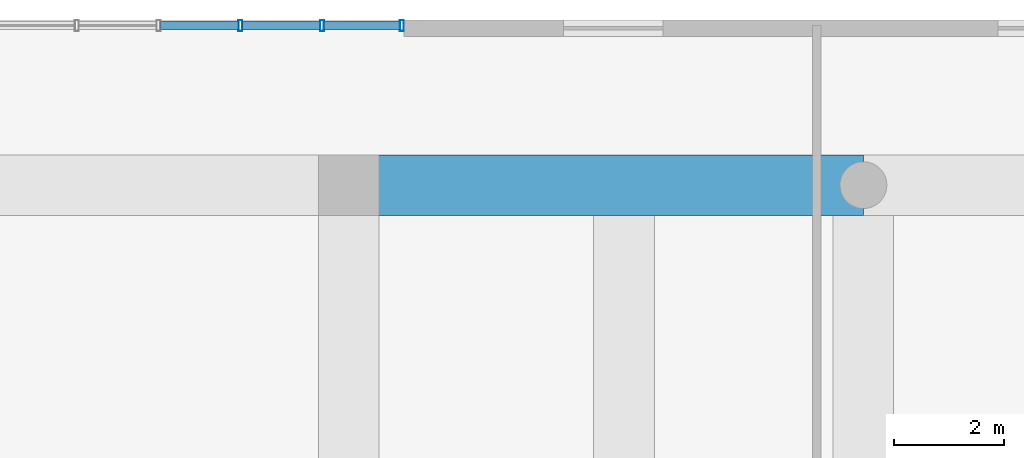
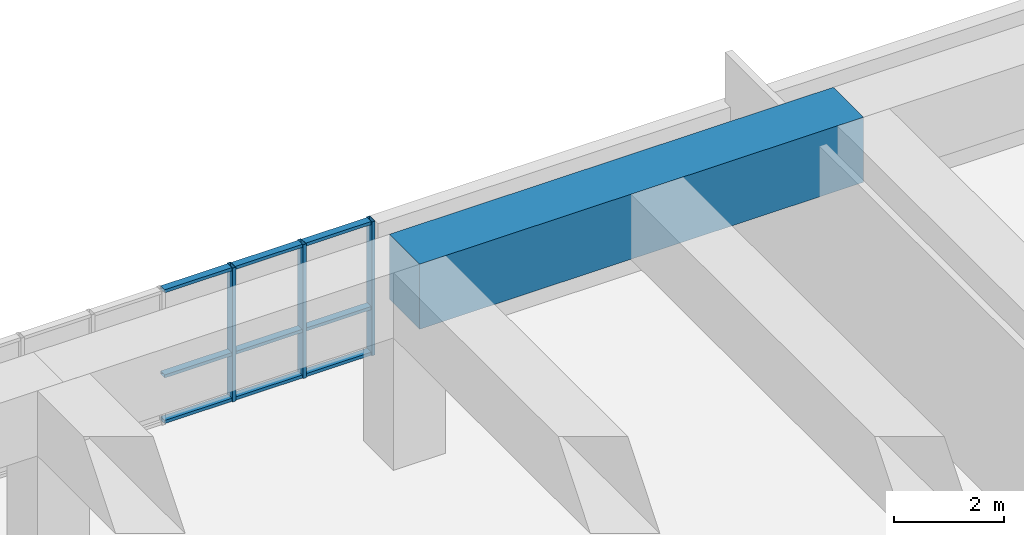
# One storey, part 15 of 28: 12 members, 1 beam, 1 element without a shape of its own.
"""IFC4 building model written with IfcOpenShell, lengths in metres."""

from ifc_helpers import new_model, si_unit, direction, frame, origin, origin_2d, place, context, subcontext, project, spatial, rectangle, hollow_rectangle, extrude, source, transform, mapped, material, layer, layer_set, material_profile, profile_set, type_object, element, aggregate, save


model = new_model("IFC4")

# Units and contexts
model_context = context("Model", 3, precision=1e-05, world=origin(), true_north=direction((0.0, 1.0)))
body_context = subcontext(model_context, "Body", "Model", "MODEL_VIEW")
ifc_project = project(units=[si_unit("LENGTHUNIT", "METRE"), si_unit("AREAUNIT", "SQUARE_METRE"), si_unit("VOLUMEUNIT", "CUBIC_METRE"), si_unit("PLANEANGLEUNIT", "RADIAN"), si_unit("MASSUNIT", "GRAM", prefix="KILO")], contexts=[model_context])

# Site, building, storey
site_placement = place(None, origin())
site = spatial("IfcSite", under=ifc_project, at=site_placement, CompositionType="ELEMENT")
building_placement = place(site_placement, origin())
building = spatial("IfcBuilding", under=site, at=building_placement, Name="Saelheon Loggia Tower", CompositionType="ELEMENT")
storey_placement = place(building_placement, frame((0.0, 0.0, 15.0)))
storey = spatial("IfcBuildingStorey", under=building, at=storey_placement, Name="L04", CompositionType="ELEMENT", Elevation=15.0)

# Beam
ifc_material_1 = material(Name="Concrete C50/60", Category="concrete")
ifc_material_profile_1 = material_profile(ifc_material_1, rectangle(XDim=1.10009765625, YDim=1.449951171875, at=origin_2d()), Name="RC-1100x1450")
ifc_profile_set_1 = profile_set([ifc_material_profile_1], Name="Concrete C50/60")
beam_type = type_object("IfcBeamType", Name="Beam_Transfer_RC1100x1450", PredefinedType="BEAM", material=ifc_profile_set_1)
shared_shape_1 = source(origin(), body_context, "Body", "SweptSolid", [
    extrude(rectangle(XDim=1.10009765625, YDim=1.449951171875, at=origin_2d()), origin(), (0.0, 0.0, 1.0), 9.35009765625),
])
beam_placement = place(storey_placement, frame((59.0, 51.0, 3.675048828125), z_axis=(1.0, 0.0, 0.0), x_axis=(0.0, 1.0, 0.0)))
element("IfcBeam", 1, at=beam_placement, inside=storey, type_object=beam_type, Name="BM-L04-EW-51-9", PredefinedType="BEAM", context=body_context, shape_type="MappedRepresentation", body=[
    mapped(shared_shape_1, transform((0.0, 0.0, 0.0), scale=1.0)),
])

# Curtain wall, members
ifc_material_2 = material(Name="Aluminium 6063-T6 and Low-E IGU", Category="aluminium")
ifc_layer = layer(ifc_material_2, 0.179931640625)
ifc_layer_set = layer_set([ifc_layer], Name="Aluminium 6063-T6 and Low-E IGU")
curtain_wall_type = type_object("IfcCurtainWallType", Name="CW_PodiumClinic", PredefinedType="NOTDEFINED", material=ifc_layer_set)
curtain_wall_placement = place(storey_placement, origin())
curtain_wall = element("IfcCurtainWall", 2, at=curtain_wall_placement, inside=storey, type_object=curtain_wall_type, Name="L04 North Clinic Curtain Wall 3", PredefinedType="NOTDEFINED")
ifc_material_3 = material(Name="Anodised Aluminium 6063-T6", Category="aluminium")
ifc_material_profile_2 = material_profile(ifc_material_3, hollow_rectangle(XDim=0.070068359375, YDim=0.14990234375, WallThickness=0.0048828125, at=origin_2d()), Name="RHS-150x70x5")
ifc_profile_set_2 = profile_set([ifc_material_profile_2], Name="Anodised Aluminium 6063-T6")
member_type_1 = type_object("IfcMemberType", Name="CW_PodiumClinic_Transom", PredefinedType="USERDEFINED", material=ifc_profile_set_2)
shared_shape_2 = source(origin(), body_context, "Body", "SweptSolid", [
    extrude(hollow_rectangle(XDim=0.070068359375, YDim=0.14990234375, WallThickness=0.0048828125, at=origin_2d()), origin(), (0.0, 0.0, 1.0), 1.3798828125),
])
member_1_placement = place(storey_placement, frame((58.550048828125, 53.89990234375, 0.034912109375), z_axis=(1.0, 0.0, 0.0), x_axis=(0.0, 0.0, 1.0)))
member_1 = element("IfcMember", 3, at=member_1_placement, type_object=member_type_1, Name="CW1 transom 10.1", ObjectType="TRANSOM", PredefinedType="USERDEFINED", context=body_context, shape_type="MappedRepresentation", body=[
    mapped(shared_shape_2, transform((0.0, 0.0, 0.0), scale=1.0)),
])
member_2_placement = place(storey_placement, frame((58.550048828125, 53.89990234375, 1.050048828125), z_axis=(1.0, 0.0, 0.0), x_axis=(0.0, 0.0, 1.0)))
member_2 = element("IfcMember", 4, at=member_2_placement, type_object=member_type_1, Name="CW1 transom 10.2", ObjectType="TRANSOM", PredefinedType="USERDEFINED", context=body_context, shape_type="MappedRepresentation", body=[
    mapped(shared_shape_2, transform((0.0, 0.0, 0.0), scale=1.0)),
])
member_3_placement = place(storey_placement, frame((58.550048828125, 53.89990234375, 2.945068359375), z_axis=(1.0, 0.0, 0.0), x_axis=(0.0, 0.0, 1.0)))
member_3 = element("IfcMember", 5, at=member_3_placement, type_object=member_type_1, Name="CW1 transom 10.3", ObjectType="TRANSOM", PredefinedType="USERDEFINED", context=body_context, shape_type="MappedRepresentation", body=[
    mapped(shared_shape_2, transform((0.0, 0.0, 0.0), scale=1.0)),
])
shared_shape_3 = source(origin(), body_context, "Body", "SweptSolid", [
    extrude(hollow_rectangle(XDim=0.070068359375, YDim=0.14990234375, WallThickness=0.0048828125, at=origin_2d()), origin(), (0.0, 0.0, 1.0), 1.4150390625),
])
member_4_placement = place(storey_placement, frame((55.580078125, 53.89990234375, 0.034912109375), z_axis=(1.0, 0.0, 0.0), x_axis=(0.0, 0.0, 1.0)))
member_4 = element("IfcMember", 6, at=member_4_placement, type_object=member_type_1, Name="CW1 transom 8.1", ObjectType="TRANSOM", PredefinedType="USERDEFINED", context=body_context, shape_type="MappedRepresentation", body=[
    mapped(shared_shape_3, transform((0.0, 0.0, 0.0), scale=1.0)),
])
member_5_placement = place(storey_placement, frame((55.580078125, 53.89990234375, 1.050048828125), z_axis=(1.0, 0.0, 0.0), x_axis=(0.0, 0.0, 1.0)))
member_5 = element("IfcMember", 7, at=member_5_placement, type_object=member_type_1, Name="CW1 transom 8.2", ObjectType="TRANSOM", PredefinedType="USERDEFINED", context=body_context, shape_type="MappedRepresentation", body=[
    mapped(shared_shape_3, transform((0.0, 0.0, 0.0), scale=1.0)),
])
member_6_placement = place(storey_placement, frame((55.580078125, 53.89990234375, 2.945068359375), z_axis=(1.0, 0.0, 0.0), x_axis=(0.0, 0.0, 1.0)))
member_6 = element("IfcMember", 8, at=member_6_placement, type_object=member_type_1, Name="CW1 transom 8.3", ObjectType="TRANSOM", PredefinedType="USERDEFINED", context=body_context, shape_type="MappedRepresentation", body=[
    mapped(shared_shape_3, transform((0.0, 0.0, 0.0), scale=1.0)),
])
member_7_placement = place(storey_placement, frame((57.06494140625, 53.89990234375, 0.034912109375), z_axis=(1.0, 0.0, 0.0), x_axis=(0.0, 0.0, 1.0)))
member_7 = element("IfcMember", 9, at=member_7_placement, type_object=member_type_1, Name="CW1 transom 9.1", ObjectType="TRANSOM", PredefinedType="USERDEFINED", context=body_context, shape_type="MappedRepresentation", body=[
    mapped(shared_shape_3, transform((0.0, 0.0, 0.0), scale=1.0)),
])
member_8_placement = place(storey_placement, frame((57.06494140625, 53.89990234375, 1.050048828125), z_axis=(1.0, 0.0, 0.0), x_axis=(0.0, 0.0, 1.0)))
member_8 = element("IfcMember", 10, at=member_8_placement, type_object=member_type_1, Name="CW1 transom 9.2", ObjectType="TRANSOM", PredefinedType="USERDEFINED", context=body_context, shape_type="MappedRepresentation", body=[
    mapped(shared_shape_3, transform((0.0, 0.0, 0.0), scale=1.0)),
])
member_9_placement = place(storey_placement, frame((57.06494140625, 53.89990234375, 2.945068359375), z_axis=(1.0, 0.0, 0.0), x_axis=(0.0, 0.0, 1.0)))
member_9 = element("IfcMember", 11, at=member_9_placement, type_object=member_type_1, Name="CW1 transom 9.3", ObjectType="TRANSOM", PredefinedType="USERDEFINED", context=body_context, shape_type="MappedRepresentation", body=[
    mapped(shared_shape_3, transform((0.0, 0.0, 0.0), scale=1.0)),
])
ifc_material_profile_3 = material_profile(ifc_material_3, hollow_rectangle(XDim=0.070068359375, YDim=0.199951171875, WallThickness=0.0048828125, at=origin_2d()), Name="RHS-200x70x5")
ifc_profile_set_3 = profile_set([ifc_material_profile_3], Name="Anodised Aluminium 6063-T6")
member_type_2 = type_object("IfcMemberType", Name="CW_PodiumClinic_Mullion", PredefinedType="MULLION", material=ifc_profile_set_3)
shared_shape_4 = source(origin(), body_context, "Body", "SweptSolid", [
    extrude(hollow_rectangle(XDim=0.070068359375, YDim=0.199951171875, WallThickness=0.0048828125, at=origin_2d()), origin(), (0.0, 0.0, 1.0), 2.97998046875),
])
member_10_placement = place(storey_placement, frame((57.030029296875, 53.89990234375, 0.0), z_axis=(0.0, 0.0, 1.0), x_axis=(1.0, 0.0, 0.0)))
member_10 = element("IfcMember", 12, at=member_10_placement, type_object=member_type_2, Name="CW1 mullion 9", PredefinedType="MULLION", context=body_context, shape_type="MappedRepresentation", body=[
    mapped(shared_shape_4, transform((0.0, 0.0, 0.0), scale=1.0)),
])
member_11_placement = place(storey_placement, frame((58.514892578125, 53.89990234375, 0.0), z_axis=(0.0, 0.0, 1.0), x_axis=(1.0, 0.0, 0.0)))
member_11 = element("IfcMember", 13, at=member_11_placement, type_object=member_type_2, Name="CW1 mullion 10", PredefinedType="MULLION", context=body_context, shape_type="MappedRepresentation", body=[
    mapped(shared_shape_4, transform((0.0, 0.0, 0.0), scale=1.0)),
])
member_12_placement = place(storey_placement, frame((59.965087890625, 53.89990234375, 0.0), z_axis=(0.0, 0.0, 1.0), x_axis=(1.0, 0.0, 0.0)))
member_12 = element("IfcMember", 14, at=member_12_placement, type_object=member_type_2, Name="CW1 mullion 11", PredefinedType="MULLION", context=body_context, shape_type="MappedRepresentation", body=[
    mapped(shared_shape_4, transform((0.0, 0.0, 0.0), scale=1.0)),
])
aggregate(curtain_wall, [member_10, member_11, member_12, member_4, member_5, member_6, member_7, member_8, member_9, member_1, member_2, member_3])

save(model, "model.ifc")
